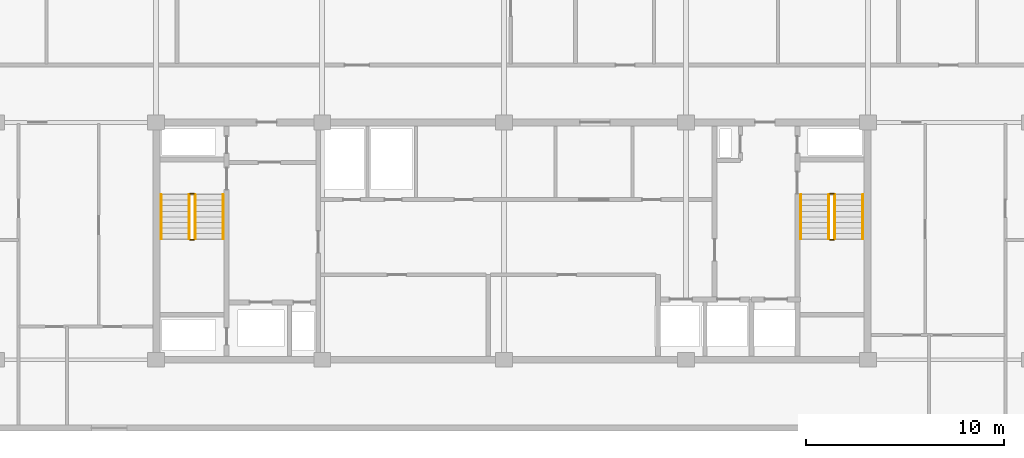
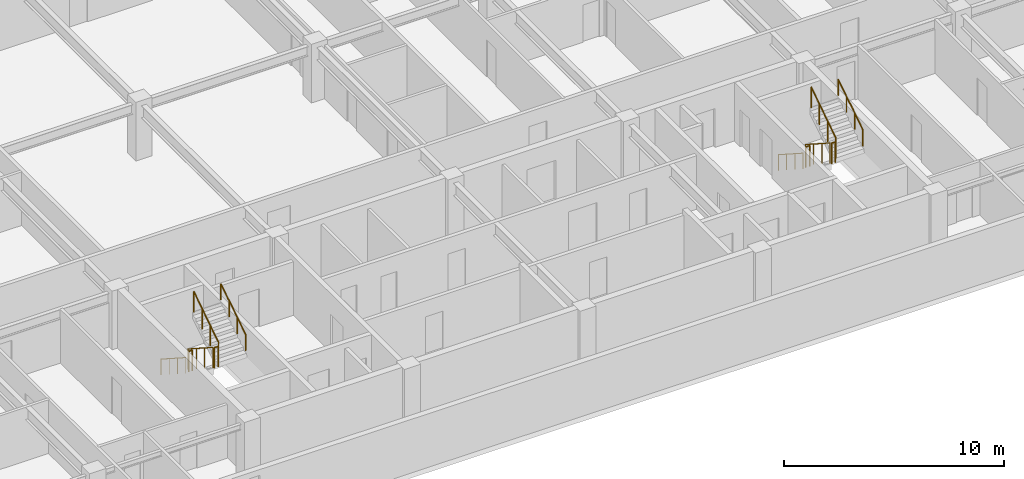
# One storey, part 10 of 11: 12 railings.
"""IFC4 building model written with IfcOpenShell, lengths in metres."""

import ifcopenshell
import ifcopenshell.guid

model = None  # the IFC model being written
_history = None  # IfcOwnerHistory: only IFC2X3 demands one
_inside = {}  # id of a spatial element -> (the spatial element, [elements in it])
_under = {}  # id of a project, library or spatial element -> (it, [spatial elements below it])
_declared = {}  # id of a project -> (the project, [libraries it declares])
_typed = {}  # id of a type object -> (the type object, [elements of that type])
_made_of = {}  # id of a material, layer set ... -> (it, [elements and type objects made of it])


def new_model(schema):
    """Start an empty IFC model of exactly this schema.

    Asked for "IFC4X3", IfcOpenShell would pick the latest addendum, in which some entities
    have other attributes; the version numbers below select the first issue.
    IFC2X3 requires an IfcOwnerHistory on every rooted entity: one is made here for all.
    """
    global model, _history
    if schema == "IFC4X3":
        model = ifcopenshell.file(schema_version=(4, 3, 0, 0))
    else:
        model = ifcopenshell.file(schema=schema)
    _inside.clear()
    _under.clear()
    _declared.clear()
    _typed.clear()
    _made_of.clear()
    _history = None
    if model.schema == "IFC2X3":
        org = make("IfcOrganization", Name="unknown")
        user = make(
            "IfcPersonAndOrganization",
            ThePerson=make("IfcPerson", FamilyName="unknown"),
            TheOrganization=org,
        )
        app = make(
            "IfcApplication",
            ApplicationDeveloper=org,
            Version="unknown",
            ApplicationFullName="unknown",
            ApplicationIdentifier="unknown",
        )
        _history = make(
            "IfcOwnerHistory",
            OwningUser=user,
            OwningApplication=app,
            ChangeAction="ADDED",
            CreationDate=0,
        )
    return model


def make(cls, **values):
    """One entity of the class cls with the attributes given. An attribute that is None is left unset."""
    return model.create_entity(
        cls, **{name: value for name, value in values.items() if value is not None}
    )


def rooted(cls, **values):
    """An entity with a GlobalId (a new one), such as an element, a storey or a relation."""
    return make(cls, GlobalId=ifcopenshell.guid.new(), OwnerHistory=_history, **values)


def si_unit(unit_type, name, prefix=None):
    """IfcSIUnit, for example si_unit("LENGTHUNIT", "METRE", prefix="MILLI")."""
    return make("IfcSIUnit", UnitType=unit_type, Prefix=prefix, Name=name)


def assignment(units):
    """IfcUnitAssignment: the units of a project."""
    return None if units is None else make("IfcUnitAssignment", Units=units)


def point(xyz):
    """IfcCartesianPoint."""
    return None if xyz is None else make("IfcCartesianPoint", Coordinates=xyz)


def direction(xyz):
    """IfcDirection."""
    return None if xyz is None else make("IfcDirection", DirectionRatios=xyz)


def frame(location, z_axis=None, x_axis=None):
    """IfcAxis2Placement3D, a coordinate frame: its origin and axes. An axis left out is left unset."""
    return make(
        "IfcAxis2Placement3D",
        Location=point(location),
        Axis=direction(z_axis),
        RefDirection=direction(x_axis),
    )


def frame_2d(location, x_axis=None):
    """IfcAxis2Placement2D, a coordinate frame in the plane: its origin and x axis."""
    return make(
        "IfcAxis2Placement2D", Location=point(location), RefDirection=direction(x_axis)
    )


def origin():
    """The frame at (0, 0, 0) with its axes left unset."""
    return frame((0.0, 0.0, 0.0))


def origin_2d():
    """The frame at (0, 0) in the plane with its x axis left unset."""
    return frame_2d((0.0, 0.0))


def place(relative_to, where):
    """IfcLocalPlacement: puts the frame where relative to a parent placement (None: the world)."""
    return make(
        "IfcLocalPlacement", PlacementRelTo=relative_to, RelativePlacement=where
    )


def context(
    kind, dimensions, precision=None, world=None, true_north=None, identifier=None
):
    """IfcGeometricRepresentationContext, for example the 3D "Model" context."""
    return make(
        "IfcGeometricRepresentationContext",
        ContextIdentifier=identifier,
        ContextType=kind,
        CoordinateSpaceDimension=dimensions,
        Precision=precision,
        WorldCoordinateSystem=world,
        TrueNorth=true_north,
    )


def subcontext(parent, identifier, kind, view, scale=None):
    """IfcGeometricRepresentationSubContext, for example "Body" below "Model"."""
    return make(
        "IfcGeometricRepresentationSubContext",
        ContextIdentifier=identifier,
        ContextType=kind,
        ParentContext=parent,
        TargetScale=scale,
        TargetView=view,
    )


def project(units=None, contexts=None):
    """IfcProject with its units and contexts."""
    return rooted(
        "IfcProject",
        Name="project",
        RepresentationContexts=contexts,
        UnitsInContext=assignment(units),
    )


def spatial(cls, under=None, at=None, **own):
    """A site, building, storey or space (cls), placed at a placement, below another one or the project."""
    s = rooted(cls, ObjectPlacement=at, **own)
    if under is not None:
        _under.setdefault(under.id(), (under, []))[1].append(s)
    return s


def profile(cls, at=None, kind="AREA", **sizes):
    """A parametric profile (cls). Its sizes go by their IFC names, for example OverallWidth=200.0."""
    return make(cls, ProfileType=kind, Position=at, **sizes)


def circle(**sizes):
    """IfcCircleProfileDef."""
    return profile("IfcCircleProfileDef", **sizes)


def extrude(swept, where, along, depth):
    """IfcExtrudedAreaSolid: the profile swept, set in the frame where, extruded along a direction by depth."""
    return make(
        "IfcExtrudedAreaSolid",
        SweptArea=swept,
        Position=where,
        ExtrudedDirection=direction(along),
        Depth=depth,
    )


def shape(context_of_items, identifier, shape_type, items):
    """IfcShapeRepresentation: the items that make up one representation, for example the "Body"."""
    return make(
        "IfcShapeRepresentation",
        ContextOfItems=context_of_items,
        RepresentationIdentifier=identifier,
        RepresentationType=shape_type,
        Items=items,
    )


def material(Name=None, Category=None):
    """IfcMaterial."""
    return make("IfcMaterial", Name=Name, Category=Category)


def made_of(thing, what):
    """Note that an element or type object is made of a material, layer set ...; save() writes the relation."""
    if what is not None:
        _made_of.setdefault(what.id(), (what, []))[1].append(thing)
    return thing


def type_object(cls, material=None, **own):
    """A type object (cls), such as IfcWallType, which elements share."""
    return made_of(rooted(cls, **own), material)


def element(
    cls,
    number,
    at=None,
    inside=None,
    cuts=None,
    type_object=None,
    material=None,
    context=None,
    identifier="Body",
    shape_type=None,
    held_by="IfcProductDefinitionShape",
    body=None,
    shapes=None,
    **own,
):
    """One element of the class cls, such as IfcWall. Its Tag is "e" and its number.

    at: its placement. inside: the storey or other place that contains it. cuts: it is an
    opening in that element (IfcRelVoidsElement). A single representation is given by context,
    identifier, shape_type and body (its items); several are given by shapes. held_by: the class
    of the entity that holds the representations. save() writes the other relations.
    """
    e = rooted(cls, Tag="e%d" % number, ObjectPlacement=at, **own)
    if body is not None:
        shapes = [shape(context, identifier, shape_type, body)]
    if shapes is not None:
        e.Representation = make(held_by, Representations=shapes)
    if inside is not None:
        _inside.setdefault(inside.id(), (inside, []))[1].append(e)
    if cuts is not None:
        rooted(
            "IfcRelVoidsElement", RelatingBuildingElement=cuts, RelatedOpeningElement=e
        )
    if type_object is not None:
        _typed.setdefault(type_object.id(), (type_object, []))[1].append(e)
    return made_of(e, material)


def aggregate(whole, parts):
    """IfcRelAggregates: a whole, such as a stair, and the parts it consists of."""
    return rooted("IfcRelAggregates", RelatingObject=whole, RelatedObjects=parts)


def save(model, path):
    """Write the relations noted so far, then the file.

    IfcRelAggregates (storeys below a building ...), IfcRelContainedInSpatialStructure (elements
    in a storey), IfcRelDefinesByType, IfcRelAssociatesMaterial and IfcRelDeclares: one each for
    every whole, place, type object, material and project.
    """
    for whole, parts in _under.values():
        aggregate(whole, parts)
    for where, things in _inside.values():
        rooted(
            "IfcRelContainedInSpatialStructure",
            RelatedElements=things,
            RelatingStructure=where,
        )
    for kind, things in _typed.values():
        rooted("IfcRelDefinesByType", RelatedObjects=things, RelatingType=kind)
    for what, things in _made_of.values():
        rooted("IfcRelAssociatesMaterial", RelatedObjects=things, RelatingMaterial=what)
    for by, libraries in _declared.values():
        rooted("IfcRelDeclares", RelatingContext=by, RelatedDefinitions=libraries)
    model.write(path)


model = new_model("IFC4")

# Units and contexts
model_context = context("Model", 3, precision=1e-05, world=origin(), true_north=direction((0.0, 1.0)))
body_context = subcontext(model_context, "Body", "Model", "MODEL_VIEW")
ifc_project = project(units=[si_unit("LENGTHUNIT", "METRE"), si_unit("AREAUNIT", "SQUARE_METRE"), si_unit("VOLUMEUNIT", "CUBIC_METRE"), si_unit("PLANEANGLEUNIT", "RADIAN"), si_unit("MASSUNIT", "GRAM", prefix="KILO")], contexts=[model_context])

# Site, building, storey
site_placement = place(None, origin())
site = spatial("IfcSite", under=ifc_project, at=site_placement, CompositionType="ELEMENT")
building_placement = place(site_placement, origin())
building = spatial("IfcBuilding", under=site, at=building_placement, Name="Korimba Cascade Residences", CompositionType="ELEMENT")
storey_placement = place(building_placement, frame((0.0, 0.0, 217.35009765625)))
storey = spatial("IfcBuildingStorey", under=building, at=storey_placement, Name="L63", CompositionType="ELEMENT", Elevation=217.35009765625)

# Railings
ifc_material_1 = material(Name="Painted Steel Stairwell Guardrail", Category="steel")
railing_type_1 = type_object("IfcRailingType", Name="RLG-ST-GD1150", PredefinedType="GUARDRAIL", material=ifc_material_1)
railing_1_placement = place(storey_placement, frame((77.77001953125, 63.550048828125, 0.180419921875)))
element("IfcRailing", 1, at=railing_1_placement, inside=storey, type_object=railing_type_1, Name="L63 ST-W1 stair guard 1", PredefinedType="GUARDRAIL", context=body_context, shape_type="SweptSolid", body=[
    extrude(circle(Radius=0.02392578125, at=origin_2d()), frame((0.0, 0.0, 1.1259765625), z_axis=(0.0, -0.840394893359, 0.541974559565), x_axis=(1.0, 0.0, 0.0)), (0.0, 0.0, 1.0), 2.665283203125),
    extrude(circle(Radius=0.02099609375, at=origin_2d()), origin(), (0.0, 0.0, 1.0), 1.101806640625),
    extrude(circle(Radius=0.02099609375, at=origin_2d()), frame((0.0, -0.74658203125, 0.4814453125)), (0.0, 0.0, 1.0), 1.101806640625),
    extrude(circle(Radius=0.02099609375, at=origin_2d()), frame((0.0, -1.493408203125, 0.963134765625)), (0.0, 0.0, 1.0), 1.101806640625),
    extrude(circle(Radius=0.02099609375, at=origin_2d()), frame((0.0, -2.239990234375, 1.444580078125)), (0.0, 0.0, 1.0), 1.101806640625),
])
railing_2_placement = place(storey_placement, frame((77.820068359375, 61.260009765625, 1.625)))
element("IfcRailing", 2, at=railing_2_placement, inside=storey, type_object=railing_type_1, Name="L63 ST-W1 stair guard 2", PredefinedType="GUARDRAIL", context=body_context, shape_type="SweptSolid", body=[
    extrude(circle(Radius=0.02392578125, at=origin_2d()), frame((0.0, 0.0, 1.1259765625), z_axis=(1.0, 0.0, 0.0), x_axis=(0.0, 1.0, 0.0)), (0.0, 0.0, 1.0), 0.199951171875),
    extrude(circle(Radius=0.02099609375, at=origin_2d()), origin(), (0.0, 0.0, 1.0), 1.101806640625),
    extrude(circle(Radius=0.02099609375, at=origin_2d()), frame((0.199951171875, 0.0, 0.0)), (0.0, 0.0, 1.0), 1.101806640625),
])
railing_3_placement = place(storey_placement, frame((78.070068359375, 61.31005859375, 1.805419921875)))
element("IfcRailing", 3, at=railing_3_placement, inside=storey, type_object=railing_type_1, Name="L63 ST-W1 stair guard 3", PredefinedType="GUARDRAIL", context=body_context, shape_type="SweptSolid", body=[
    extrude(circle(Radius=0.02392578125, at=origin_2d()), frame((0.0, 0.0, 1.1259765625), z_axis=(0.0, 0.840394893359, 0.541974559565), x_axis=(-1.0, 0.0, 0.0)), (0.0, 0.0, 1.0), 2.665283203125),
    extrude(circle(Radius=0.02099609375, at=origin_2d()), origin(), (0.0, 0.0, 1.0), 1.101806640625),
    extrude(circle(Radius=0.02099609375, at=origin_2d()), frame((0.0, 0.74658203125, 0.4814453125)), (0.0, 0.0, 1.0), 1.101806640625),
    extrude(circle(Radius=0.02099609375, at=origin_2d()), frame((0.0, 1.493408203125, 0.963134765625)), (0.0, 0.0, 1.0), 1.101806640625),
    extrude(circle(Radius=0.02099609375, at=origin_2d()), frame((0.0, 2.239990234375, 1.444580078125)), (0.0, 0.0, 1.0), 1.101806640625),
])
railing_4_placement = place(storey_placement, frame((77.820068359375, 63.60009765625, 0.0)))
element("IfcRailing", 4, at=railing_4_placement, inside=storey, type_object=railing_type_1, Name="L63 ST-W1 stair guard 4", PredefinedType="GUARDRAIL", context=body_context, shape_type="SweptSolid", body=[
    extrude(circle(Radius=0.02392578125, at=origin_2d()), frame((0.0, 0.0, 1.1259765625), z_axis=(1.0, 0.0, 0.0), x_axis=(0.0, 1.0, 0.0)), (0.0, 0.0, 1.0), 0.199951171875),
    extrude(circle(Radius=0.02099609375, at=origin_2d()), origin(), (0.0, 0.0, 1.0), 1.101806640625),
    extrude(circle(Radius=0.02099609375, at=origin_2d()), frame((0.199951171875, 0.0, 0.0)), (0.0, 0.0, 1.0), 1.101806640625),
])
railing_5_placement = place(storey_placement, frame((110.1298828125, 63.550048828125, 0.180419921875)))
element("IfcRailing", 5, at=railing_5_placement, inside=storey, type_object=railing_type_1, Name="L63 ST-W2 stair guard 1", PredefinedType="GUARDRAIL", context=body_context, shape_type="SweptSolid", body=[
    extrude(circle(Radius=0.02392578125, at=origin_2d()), frame((0.0, 0.0, 1.1259765625), z_axis=(0.0, -0.840394893359, 0.541974559565), x_axis=(1.0, 0.0, 0.0)), (0.0, 0.0, 1.0), 2.665283203125),
    extrude(circle(Radius=0.02099609375, at=origin_2d()), origin(), (0.0, 0.0, 1.0), 1.101806640625),
    extrude(circle(Radius=0.02099609375, at=origin_2d()), frame((0.0, -0.74658203125, 0.4814453125)), (0.0, 0.0, 1.0), 1.101806640625),
    extrude(circle(Radius=0.02099609375, at=origin_2d()), frame((0.0, -1.493408203125, 0.963134765625)), (0.0, 0.0, 1.0), 1.101806640625),
    extrude(circle(Radius=0.02099609375, at=origin_2d()), frame((0.0, -2.239990234375, 1.444580078125)), (0.0, 0.0, 1.0), 1.101806640625),
])
railing_6_placement = place(storey_placement, frame((110.179931640625, 61.260009765625, 1.625)))
element("IfcRailing", 6, at=railing_6_placement, inside=storey, type_object=railing_type_1, Name="L63 ST-W2 stair guard 2", PredefinedType="GUARDRAIL", context=body_context, shape_type="SweptSolid", body=[
    extrude(circle(Radius=0.02392578125, at=origin_2d()), frame((0.0, 0.0, 1.1259765625), z_axis=(1.0, 0.0, 0.0), x_axis=(0.0, 1.0, 0.0)), (0.0, 0.0, 1.0), 0.199951171875),
    extrude(circle(Radius=0.02099609375, at=origin_2d()), origin(), (0.0, 0.0, 1.0), 1.101806640625),
    extrude(circle(Radius=0.02099609375, at=origin_2d()), frame((0.199951171875, 0.0, 0.0)), (0.0, 0.0, 1.0), 1.101806640625),
])
railing_7_placement = place(storey_placement, frame((110.429931640625, 61.31005859375, 1.805419921875)))
element("IfcRailing", 7, at=railing_7_placement, inside=storey, type_object=railing_type_1, Name="L63 ST-W2 stair guard 3", PredefinedType="GUARDRAIL", context=body_context, shape_type="SweptSolid", body=[
    extrude(circle(Radius=0.02392578125, at=origin_2d()), frame((0.0, 0.0, 1.1259765625), z_axis=(0.0, 0.840394893359, 0.541974559565), x_axis=(-1.0, 0.0, 0.0)), (0.0, 0.0, 1.0), 2.665283203125),
    extrude(circle(Radius=0.02099609375, at=origin_2d()), origin(), (0.0, 0.0, 1.0), 1.101806640625),
    extrude(circle(Radius=0.02099609375, at=origin_2d()), frame((0.0, 0.74658203125, 0.4814453125)), (0.0, 0.0, 1.0), 1.101806640625),
    extrude(circle(Radius=0.02099609375, at=origin_2d()), frame((0.0, 1.493408203125, 0.963134765625)), (0.0, 0.0, 1.0), 1.101806640625),
    extrude(circle(Radius=0.02099609375, at=origin_2d()), frame((0.0, 2.239990234375, 1.444580078125)), (0.0, 0.0, 1.0), 1.101806640625),
])
railing_8_placement = place(storey_placement, frame((110.179931640625, 63.60009765625, 0.0)))
element("IfcRailing", 8, at=railing_8_placement, inside=storey, type_object=railing_type_1, Name="L63 ST-W2 stair guard 4", PredefinedType="GUARDRAIL", context=body_context, shape_type="SweptSolid", body=[
    extrude(circle(Radius=0.02392578125, at=origin_2d()), frame((0.0, 0.0, 1.1259765625), z_axis=(1.0, 0.0, 0.0), x_axis=(0.0, 1.0, 0.0)), (0.0, 0.0, 1.0), 0.199951171875),
    extrude(circle(Radius=0.02099609375, at=origin_2d()), origin(), (0.0, 0.0, 1.0), 1.101806640625),
    extrude(circle(Radius=0.02099609375, at=origin_2d()), frame((0.199951171875, 0.0, 0.0)), (0.0, 0.0, 1.0), 1.101806640625),
])
ifc_material_2 = material(Name="Brushed Stainless Steel Handrail", Category="steel")
railing_type_2 = type_object("IfcRailingType", Name="RLG-ST-HR900", PredefinedType="HANDRAIL", material=ifc_material_2)
railing_9_placement = place(storey_placement, frame((76.35009765625, 63.550048828125, 0.36474609375)))
element("IfcRailing", 9, at=railing_9_placement, inside=storey, type_object=railing_type_2, Name="L63 ST-W1 stair handrail 1", PredefinedType="HANDRAIL", context=body_context, shape_type="SweptSolid", body=[
    extrude(circle(Radius=0.02392578125, at=origin_2d()), frame((0.0, 0.0, 0.8759765625), z_axis=(0.0, -0.840394893359, 0.541974559565), x_axis=(1.0, 0.0, 0.0)), (0.0, 0.0, 1.0), 2.665283203125),
    extrude(circle(Radius=0.02099609375, at=origin_2d()), origin(), (0.0, 0.0, 1.0), 0.851806640625),
    extrude(circle(Radius=0.02099609375, at=origin_2d()), frame((0.0, -0.74658203125, 0.4814453125)), (0.0, 0.0, 1.0), 0.851806640625),
    extrude(circle(Radius=0.02099609375, at=origin_2d()), frame((0.0, -1.493408203125, 0.963134765625)), (0.0, 0.0, 1.0), 0.851806640625),
    extrude(circle(Radius=0.02099609375, at=origin_2d()), frame((0.0, -2.239990234375, 1.444580078125)), (0.0, 0.0, 1.0), 0.851806640625),
])
railing_10_placement = place(storey_placement, frame((79.489990234375, 61.31005859375, 1.98974609375)))
element("IfcRailing", 10, at=railing_10_placement, inside=storey, type_object=railing_type_2, Name="L63 ST-W1 stair handrail 2", PredefinedType="HANDRAIL", context=body_context, shape_type="SweptSolid", body=[
    extrude(circle(Radius=0.02392578125, at=origin_2d()), frame((0.0, 0.0, 0.8759765625), z_axis=(0.0, 0.840394893359, 0.541974559565), x_axis=(-1.0, 0.0, 0.0)), (0.0, 0.0, 1.0), 2.665283203125),
    extrude(circle(Radius=0.02099609375, at=origin_2d()), origin(), (0.0, 0.0, 1.0), 0.851806640625),
    extrude(circle(Radius=0.02099609375, at=origin_2d()), frame((0.0, 0.74658203125, 0.4814453125)), (0.0, 0.0, 1.0), 0.851806640625),
    extrude(circle(Radius=0.02099609375, at=origin_2d()), frame((0.0, 1.493408203125, 0.963134765625)), (0.0, 0.0, 1.0), 0.851806640625),
    extrude(circle(Radius=0.02099609375, at=origin_2d()), frame((0.0, 2.239990234375, 1.444580078125)), (0.0, 0.0, 1.0), 0.851806640625),
])
railing_11_placement = place(storey_placement, frame((108.7099609375, 63.550048828125, 0.36474609375)))
element("IfcRailing", 11, at=railing_11_placement, inside=storey, type_object=railing_type_2, Name="L63 ST-W2 stair handrail 1", PredefinedType="HANDRAIL", context=body_context, shape_type="SweptSolid", body=[
    extrude(circle(Radius=0.02392578125, at=origin_2d()), frame((0.0, 0.0, 0.8759765625), z_axis=(0.0, -0.840394893359, 0.541974559565), x_axis=(1.0, 0.0, 0.0)), (0.0, 0.0, 1.0), 2.665283203125),
    extrude(circle(Radius=0.02099609375, at=origin_2d()), origin(), (0.0, 0.0, 1.0), 0.851806640625),
    extrude(circle(Radius=0.02099609375, at=origin_2d()), frame((0.0, -0.74658203125, 0.4814453125)), (0.0, 0.0, 1.0), 0.851806640625),
    extrude(circle(Radius=0.02099609375, at=origin_2d()), frame((0.0, -1.493408203125, 0.963134765625)), (0.0, 0.0, 1.0), 0.851806640625),
    extrude(circle(Radius=0.02099609375, at=origin_2d()), frame((0.0, -2.239990234375, 1.444580078125)), (0.0, 0.0, 1.0), 0.851806640625),
])
railing_12_placement = place(storey_placement, frame((111.85009765625, 61.31005859375, 1.98974609375)))
element("IfcRailing", 12, at=railing_12_placement, inside=storey, type_object=railing_type_2, Name="L63 ST-W2 stair handrail 2", PredefinedType="HANDRAIL", context=body_context, shape_type="SweptSolid", body=[
    extrude(circle(Radius=0.02392578125, at=origin_2d()), frame((0.0, 0.0, 0.8759765625), z_axis=(0.0, 0.840394893359, 0.541974559565), x_axis=(-1.0, 0.0, 0.0)), (0.0, 0.0, 1.0), 2.665283203125),
    extrude(circle(Radius=0.02099609375, at=origin_2d()), origin(), (0.0, 0.0, 1.0), 0.851806640625),
    extrude(circle(Radius=0.02099609375, at=origin_2d()), frame((0.0, 0.74658203125, 0.4814453125)), (0.0, 0.0, 1.0), 0.851806640625),
    extrude(circle(Radius=0.02099609375, at=origin_2d()), frame((0.0, 1.493408203125, 0.963134765625)), (0.0, 0.0, 1.0), 0.851806640625),
    extrude(circle(Radius=0.02099609375, at=origin_2d()), frame((0.0, 2.239990234375, 1.444580078125)), (0.0, 0.0, 1.0), 0.851806640625),
])

save(model, "model.ifc")
